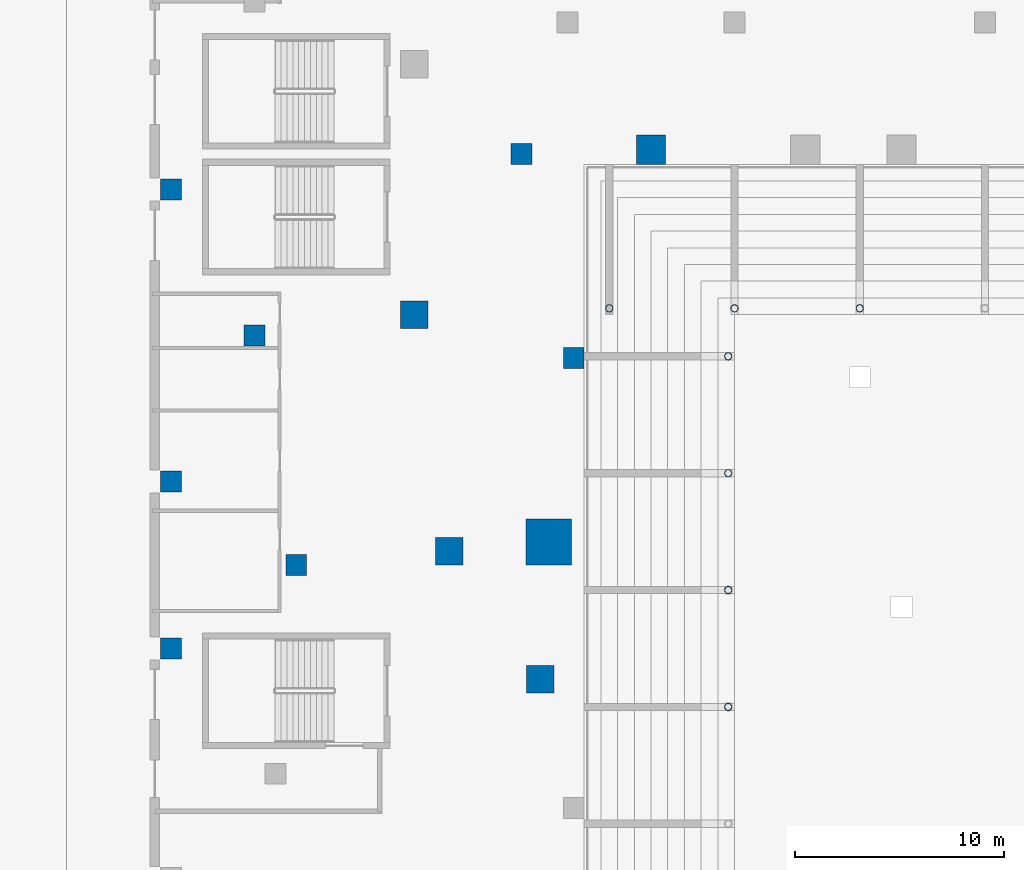
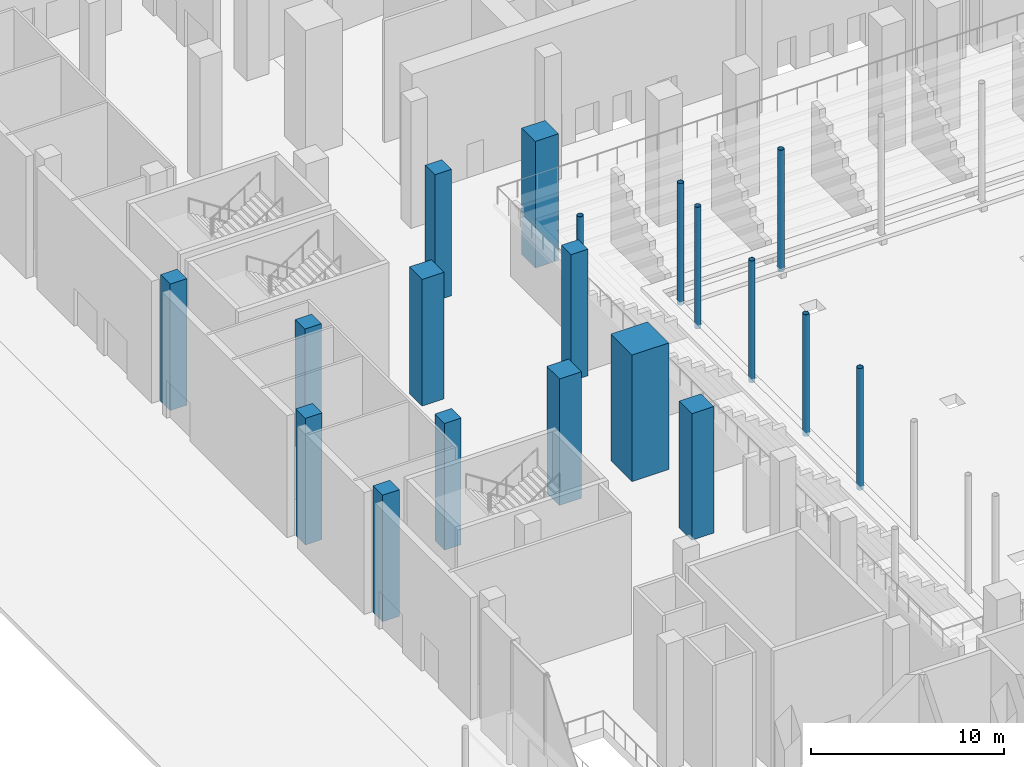
# One storey, part 5 of 41: 19 columns.
"""IFC4 building model written with IfcOpenShell, lengths in metres."""

from ifc_helpers import new_model, si_unit, direction, frame, origin, origin_2d, place, context, subcontext, project, spatial, rectangle, hollow_circle, extrude, material, material_profile, profile_set, type_object, element, save


model = new_model("IFC4")

# Units and contexts
model_context = context("Model", 3, precision=1e-05, world=origin(), true_north=direction((0.0, 1.0)))
body_context = subcontext(model_context, "Body", "Model", "MODEL_VIEW")
ifc_project = project(units=[si_unit("LENGTHUNIT", "METRE"), si_unit("AREAUNIT", "SQUARE_METRE"), si_unit("VOLUMEUNIT", "CUBIC_METRE"), si_unit("PLANEANGLEUNIT", "RADIAN"), si_unit("MASSUNIT", "GRAM", prefix="KILO")], contexts=[model_context])

# Site, building, storey
site_placement = place(None, origin())
site = spatial("IfcSite", under=ifc_project, at=site_placement, CompositionType="ELEMENT")
building_placement = place(site_placement, origin())
building = spatial("IfcBuilding", under=site, at=building_placement, Name="Wharfspan Tower", CompositionType="ELEMENT")
storey_placement = place(building_placement, origin())
storey = spatial("IfcBuildingStorey", under=building, at=storey_placement, Name="L00", CompositionType="ELEMENT", Elevation=0.0)

# Columns
ifc_material_1 = material(Name="Concrete C60/75", Category="concrete")
ifc_material_profile_1 = material_profile(ifc_material_1, rectangle(XDim=1.0, YDim=1.0, at=origin_2d()))
ifc_profile_set_1 = profile_set([ifc_material_profile_1], Name="Concrete C60/75")
column_type_1 = type_object("IfcColumnType", Name="Concrete column 1000 square", PredefinedType="COLUMN", material=ifc_profile_set_1)
for number, where, z_axis, x_axis, name in (
    (1, (5.800049, 25.699951, 0.0), (0.0, 0.0, 1.0), (1.0, 0.0, 0.0), "Column G.N2"),
    (2, (8.300049, 15.919922, 0.0), (0.0, 0.0, 1.0), (1.0, 0.0, 0.0), "Column G.W5"),
    (3, (-11.0, 10.0, 0.0), (0.0, 0.0, 1.0), (1.0, 0.0, 0.0), "Column D.12"),
    (4, (-11.0, 24.0, 0.0), (0.0, 0.0, 1.0), (1.0, 0.0, 0.0), "Column D.14"),
    (5, (-11.0, 2.0, 0.0), (0.0, 0.0, 1.0), (1.0, 0.0, 0.0), "Column D.48"),
    (6, (-7.0, 17.0, 0.0), (0.0, 0.0, 1.0), (1.0, 0.0, 0.0), "Column D.49"),
    (7, (-5.0, 6.0, 0.0), (0.0, 0.0, 1.0), (1.0, 0.0, 0.0), "Column D.56"),
):
    element("IfcColumn", number, at=place(storey_placement, frame(where, z_axis=z_axis, x_axis=x_axis)), inside=storey, type_object=column_type_1, Name=name, PredefinedType="COLUMN", context=body_context, shape_type="SweptSolid", body=[
        extrude(rectangle(XDim=1.0, YDim=1.0, at=origin_2d()), origin(), (0.0, 0.0, 1.0), 8.0),
    ])
ifc_material_profile_2 = material_profile(ifc_material_1, rectangle(XDim=1.320068, YDim=1.320068, at=origin_2d()))
ifc_profile_set_2 = profile_set([ifc_material_profile_2], Name="Concrete C60/75")
column_type_2 = type_object("IfcColumnType", Name="Concrete column 1320 square", PredefinedType="COLUMN", material=ifc_profile_set_2)
for number, where, z_axis, x_axis, name in (
    (8, (6.694336, 0.528564, 0.0), (0.0, 0.0, 1.0), (1.0, 0.0, 0.0), "Column T.PS1.1"),
    (9, (0.659912, 18.0, 0.0), (0.0, 0.0, 1.0), (1.0, 0.0, 0.0), "Column T.PW.2"),
    (10, (2.331787, 6.66748, 0.0), (0.0, 0.0, 1.0), (1.0, 0.0, 0.0), "Column T.PW.3"),
):
    element("IfcColumn", number, at=place(storey_placement, frame(where, z_axis=z_axis, x_axis=x_axis)), inside=storey, type_object=column_type_2, Name=name, PredefinedType="COLUMN", context=body_context, shape_type="SweptSolid", body=[
        extrude(rectangle(XDim=1.320068, YDim=1.320068, at=origin_2d()), origin(), (0.0, 0.0, 1.0), 8.0),
    ])
ifc_material_profile_3 = material_profile(ifc_material_1, rectangle(XDim=1.399902, YDim=1.399902, at=origin_2d()))
ifc_profile_set_3 = profile_set([ifc_material_profile_3], Name="Concrete C60/75")
column_type_3 = type_object("IfcColumnType", Name="Concrete column 1400 square", PredefinedType="COLUMN", material=ifc_profile_set_3)
column_1_placement = place(storey_placement, frame((12.0, 25.899902, 0.0), z_axis=(0.0, 0.0, 1.0), x_axis=(1.0, 0.0, 0.0)))
element("IfcColumn", 11, at=column_1_placement, inside=storey, type_object=column_type_3, Name="Column RN.1", PredefinedType="COLUMN", context=body_context, shape_type="SweptSolid", body=[
    extrude(rectangle(XDim=1.399902, YDim=1.399902, at=origin_2d()), origin(), (0.0, 0.0, 1.0), 8.0),
])
ifc_material_profile_4 = material_profile(ifc_material_1, rectangle(XDim=2.199951, YDim=2.199951, at=origin_2d()))
ifc_profile_set_4 = profile_set([ifc_material_profile_4], Name="Concrete C60/75")
column_type_4 = type_object("IfcColumnType", Name="Concrete column 2200 square", PredefinedType="COLUMN", material=ifc_profile_set_4)
column_2_placement = place(storey_placement, frame((7.100098, 7.100098, 0.0), z_axis=(0.0, 0.0, 1.0), x_axis=(1.0, 0.0, 0.0)))
element("IfcColumn", 12, at=column_2_placement, inside=storey, type_object=column_type_4, Name="Column T.MC1", PredefinedType="COLUMN", context=body_context, shape_type="SweptSolid", body=[
    extrude(rectangle(XDim=2.199951, YDim=2.199951, at=origin_2d()), origin(), (0.0, 0.0, 1.0), 8.0),
])
ifc_material_2 = material(Name="Steel S460NH", Category="steel")
ifc_material_profile_5 = material_profile(ifc_material_2, hollow_circle(Radius=0.177734, WallThickness=0.016113, at=origin_2d()))
ifc_profile_set_5 = profile_set([ifc_material_profile_5], Name="Steel S460NH")
column_type_5 = type_object("IfcColumnType", Name="Tier column CHS 356x16", PredefinedType="COLUMN", material=ifc_profile_set_5)
column_3_placement = place(storey_placement, frame((10.0, 18.300049, 4.149902), z_axis=(0.0, 0.0, 1.0), x_axis=(1.0, 0.0, 0.0)))
element("IfcColumn", 13, at=column_3_placement, inside=storey, type_object=column_type_5, Name="Upper tier column", PredefinedType="COLUMN", context=body_context, shape_type="SweptSolid", body=[
    extrude(hollow_circle(Radius=0.177734, WallThickness=0.016113, at=origin_2d()), origin(), (0.0, 0.0, 1.0), 3.850098),
])
for number, where, z_axis, x_axis, name in (
    (14, (16.0, 18.300049, 0.300049), (0.0, 0.0, 1.0), (1.0, 0.0, 0.0), "Upper tier column"),
    (15, (22.0, 18.300049, 0.300049), (0.0, 0.0, 1.0), (1.0, 0.0, 0.0), "Upper tier column"),
    (16, (15.699951, -0.800049, 0.300049), (0.0, 0.0, 1.0), (1.0, 0.0, 0.0), "Upper tier column"),
    (17, (15.699951, 4.800049, 0.300049), (0.0, 0.0, 1.0), (1.0, 0.0, 0.0), "Upper tier column"),
    (18, (15.699951, 10.399902, 0.300049), (0.0, 0.0, 1.0), (1.0, 0.0, 0.0), "Upper tier column"),
    (19, (15.699951, 16.0, 0.300049), (0.0, 0.0, 1.0), (1.0, 0.0, 0.0), "Upper tier column"),
):
    element("IfcColumn", number, at=place(storey_placement, frame(where, z_axis=z_axis, x_axis=x_axis)), inside=storey, type_object=column_type_5, Name=name, PredefinedType="COLUMN", context=body_context, shape_type="SweptSolid", body=[
        extrude(hollow_circle(Radius=0.177734, WallThickness=0.016113, at=origin_2d()), origin(), (0.0, 0.0, 1.0), 7.699951),
    ])

save(model, "model.ifc")
